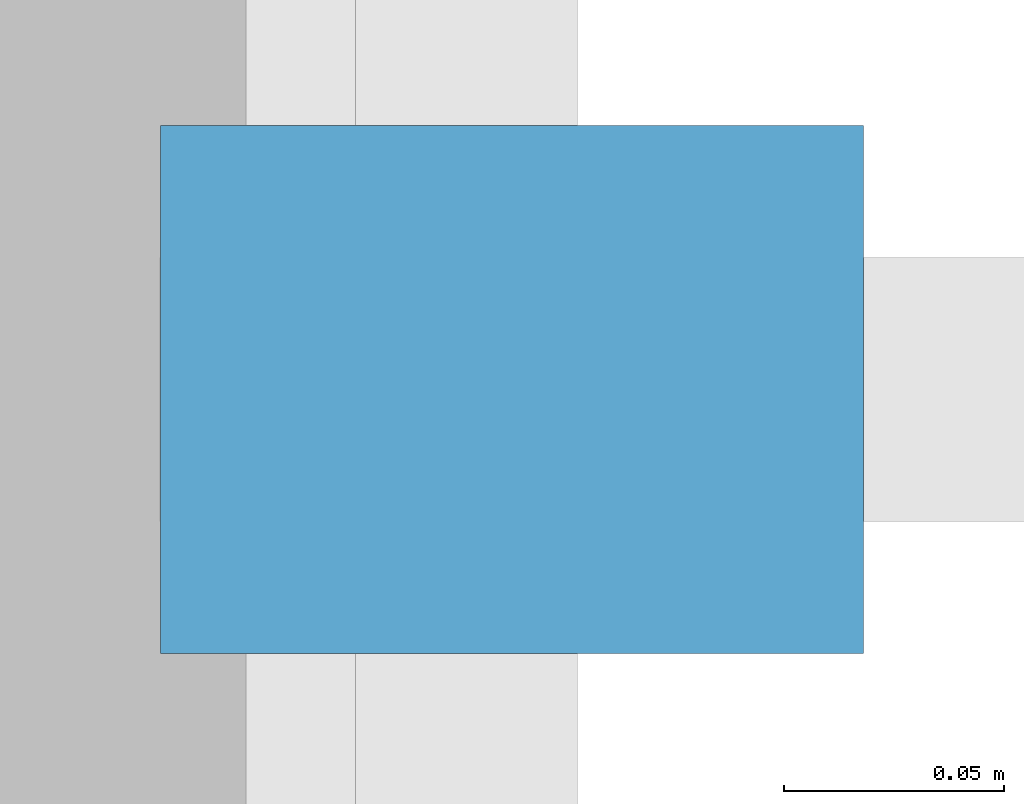
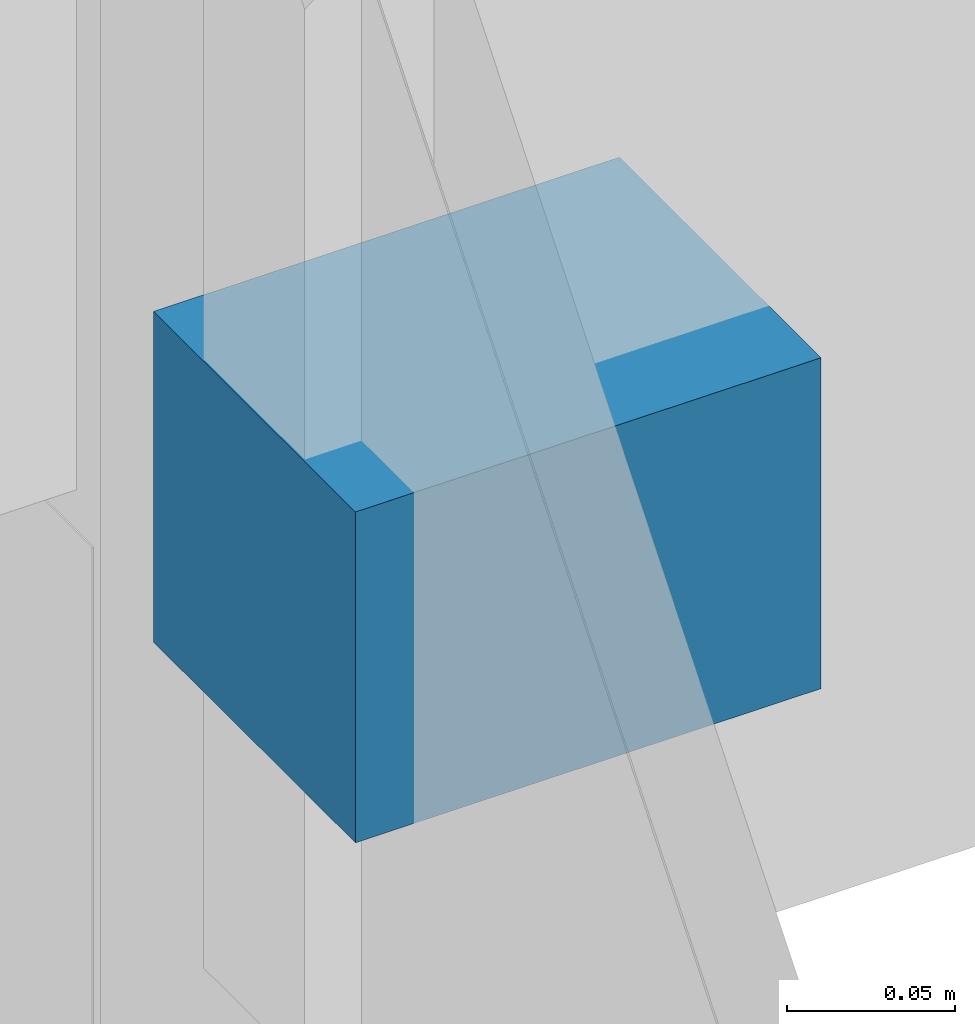
# One storey, part 33 of 55: 1 discrete accessory.
"""IFC4 building model written with IfcOpenShell, lengths in metres."""

from ifc_helpers import new_model, si_unit, direction, frame, origin, origin_2d, place, context, subcontext, project, spatial, rectangle, extrude, material, type_object, element, save


model = new_model("IFC4")

# Units and contexts
model_context = context("Model", 3, precision=1e-05, world=origin(), true_north=direction((0.0, 1.0)))
body_context = subcontext(model_context, "Body", "Model", "MODEL_VIEW")
ifc_project = project(units=[si_unit("LENGTHUNIT", "METRE"), si_unit("AREAUNIT", "SQUARE_METRE"), si_unit("VOLUMEUNIT", "CUBIC_METRE"), si_unit("PLANEANGLEUNIT", "RADIAN"), si_unit("MASSUNIT", "GRAM", prefix="KILO")], contexts=[model_context])

# Site, building, storey
site_placement = place(None, origin())
site = spatial("IfcSite", under=ifc_project, at=site_placement, CompositionType="ELEMENT")
building_placement = place(site_placement, origin())
building = spatial("IfcBuilding", under=site, at=building_placement, Name="Namkhue Oval Health Centre", CompositionType="ELEMENT")
storey_placement = place(building_placement, frame((0.0, 0.0, 9.60009765625)))
storey = spatial("IfcBuildingStorey", under=building, at=storey_placement, Name="L02", CompositionType="ELEMENT", Elevation=9.60009765625)

# Discrete accessory
ifc_material = material(Name="Structural steel S355JR (TCVN CCT38)", Category="steel")
discrete_accessory_type = type_object("IfcDiscreteAccessoryType", Name="FACADE SHADING BRACKET", PredefinedType="BRACKET", material=ifc_material)
discrete_accessory_placement = place(storey_placement, frame((122.56005859375, 17.284912109375, 0.89990234375), z_axis=(0.0, 0.0, 1.0), x_axis=(1.0, 0.0, 0.0)))
element("IfcDiscreteAccessory", 1, at=discrete_accessory_placement, inside=storey, type_object=discrete_accessory_type, Name="Window Fin Bracket 270", PredefinedType="BRACKET", context=body_context, shape_type="SweptSolid", body=[
    extrude(rectangle(XDim=0.159912109375, YDim=0.1201171875, at=origin_2d()), origin(), (0.0, 0.0, 1.0), 0.1201171875),
])

save(model, "model.ifc")
